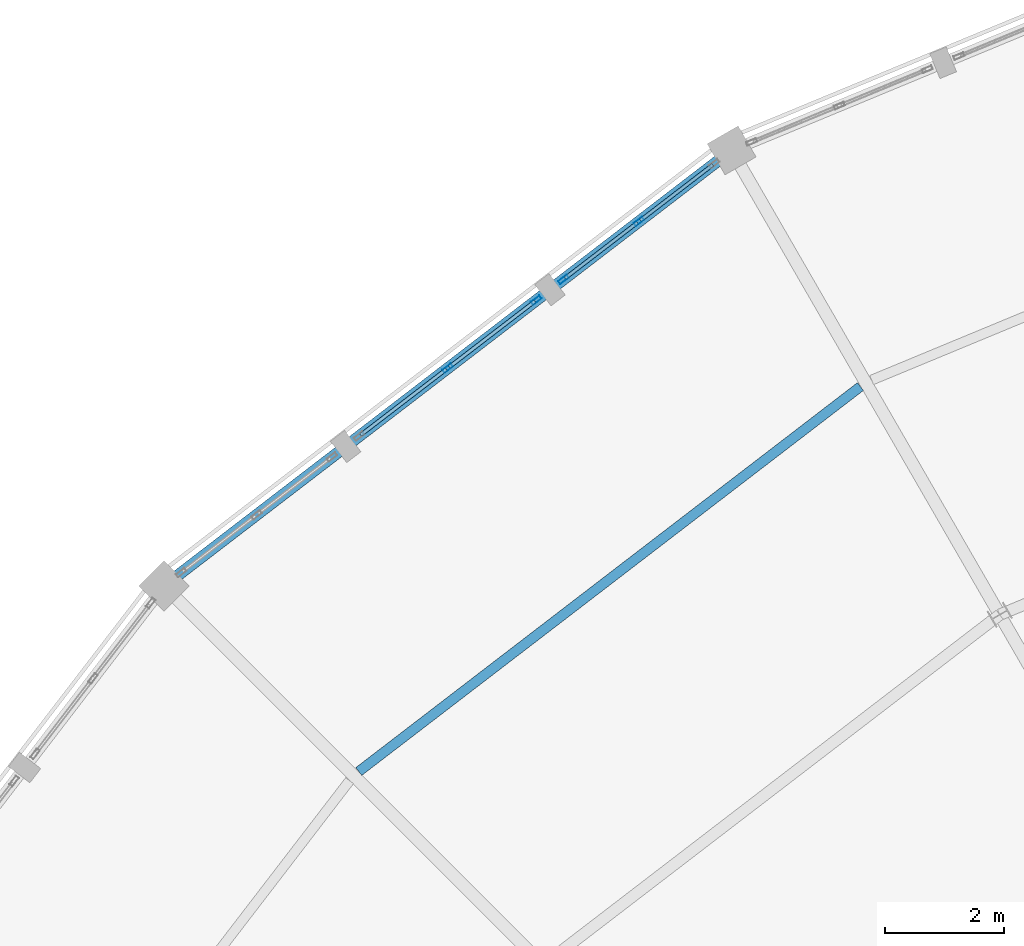
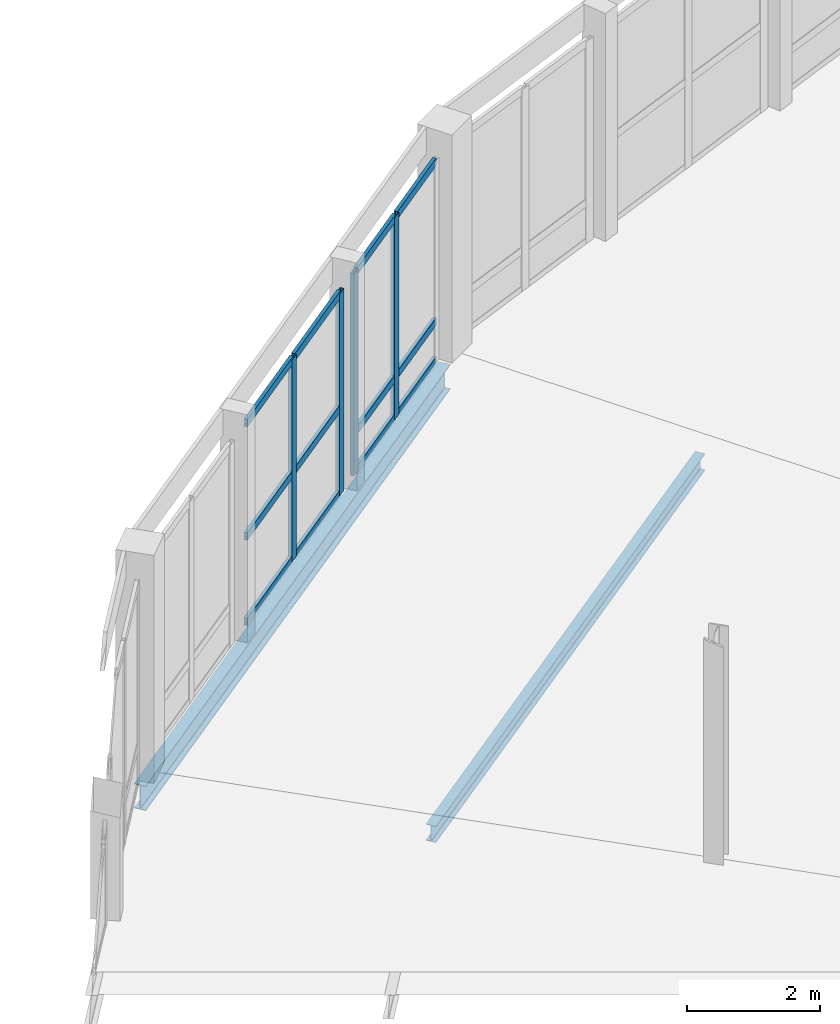
# One storey, part 72 of 170: 16 members, 2 beams, 2 elements without a shape of their own.
"""IFC4 building model written with IfcOpenShell, lengths in metres."""

from ifc_helpers import new_model, si_unit, direction, frame, origin, origin_2d, place, context, subcontext, project, spatial, hollow_rectangle, i_section, extrude, material, material_profile, profile_set, type_object, element, aggregate, save


model = new_model("IFC4")

# Units and contexts
model_context = context("Model", 3, precision=1e-05, world=origin(), true_north=direction((0.0, 1.0)))
body_context = subcontext(model_context, "Body", "Model", "MODEL_VIEW")
ifc_project = project(units=[si_unit("LENGTHUNIT", "METRE"), si_unit("AREAUNIT", "SQUARE_METRE"), si_unit("VOLUMEUNIT", "CUBIC_METRE"), si_unit("PLANEANGLEUNIT", "RADIAN"), si_unit("MASSUNIT", "GRAM", prefix="KILO")], contexts=[model_context])

# Site, building, storey
site_placement = place(None, origin())
site = spatial("IfcSite", under=ifc_project, at=site_placement, CompositionType="ELEMENT")
building_placement = place(site_placement, origin())
building = spatial("IfcBuilding", under=site, at=building_placement, Name="Vondelvale Polytechnic", CompositionType="ELEMENT")
storey_placement = place(building_placement, frame((0.0, 0.0, 5.39990234375)))
storey = spatial("IfcBuildingStorey", under=building, at=storey_placement, Name="L01", CompositionType="ELEMENT", Elevation=5.39990234375)

# Beam
ifc_material_1 = material(Name="Steel 300PLUS (fy = 300 MPa)", Category="steel")
ifc_material_profile_1 = material_profile(ifc_material_1, i_section(OverallWidth=0.18994140625, OverallDepth=0.45703125, WebThickness=0.009033203125, FlangeThickness=0.014404296875, FilletRadius=0.011474609375, at=origin_2d()), Name="460UB74.6")
ifc_profile_set_1 = profile_set([ifc_material_profile_1], Name="Steel 300PLUS (fy = 300 MPa)")
beam_type_1 = type_object("IfcBeamType", Name="BM-UB460", PredefinedType="BEAM", material=ifc_profile_set_1)
beam_1_placement = place(storey_placement, frame((79.0, 111.837158203125, -0.50830078125), z_axis=(-0.793349743808, -0.608766116008, 0.0), x_axis=(0.608766116008, -0.793349743808, 0.0)))
element("IfcBeam", 1, at=beam_1_placement, inside=storey, type_object=beam_type_1, Name="L01 RB B-13", PredefinedType="BEAM", context=body_context, shape_type="SweptSolid", body=[
    extrude(i_section(OverallWidth=0.18994140625, OverallDepth=0.45703125, WebThickness=0.009033203125, FlangeThickness=0.014404296875, FilletRadius=0.011474609375, at=origin_2d()), origin(), (0.0, 0.0, 1.0), 12.00830078125),
])

# Curtain wall, members
ifc_material_2 = material(Name="Glulam GL18 structural Tasmanian oak (fb = 42 MPa)", Category="wood")
curtain_wall_type = type_object("IfcCurtainWallType", Name="CW-RING-OUTER", PredefinedType="NOTDEFINED", material=ifc_material_2)
curtain_wall_1_placement = place(storey_placement, origin())
curtain_wall_1 = element("IfcCurtainWall", 2, at=curtain_wall_1_placement, inside=storey, type_object=curtain_wall_type, Name="L01 architectural curtain wall CW-04-195", PredefinedType="NOTDEFINED")
ifc_material_3 = material(Name="Anodised extruded aluminium 6063-T6", Category="aluminium")
ifc_material_profile_2 = material_profile(ifc_material_3, hollow_rectangle(XDim=0.06494140625, YDim=0.179931640625, WallThickness=0.00390625, at=origin_2d()), Name="CW-MUL-180x65")
ifc_profile_set_2 = profile_set([ifc_material_profile_2], Name="Anodised extruded aluminium 6063-T6")
member_type_1 = type_object("IfcMemberType", Name="CW-MUL-65x180", PredefinedType="MULLION", material=ifc_profile_set_2)
member_1_placement = place(storey_placement, frame((77.44482421875, 110.643798828125, 0.0), z_axis=(0.0, 0.0, 1.0), x_axis=(0.608786860133, -0.793333825656, 0.0)))
member_1 = element("IfcMember", 3, at=member_1_placement, type_object=member_type_1, Name="CW-04-195 mullion 2", PredefinedType="MULLION", context=body_context, shape_type="SweptSolid", body=[
    extrude(hollow_rectangle(XDim=0.06494140625, YDim=0.179931640625, WallThickness=0.00390625, at=origin_2d()), origin(), (0.0, 0.0, 1.0), 3.72021484375),
])
member_2_placement = place(storey_placement, frame((76.179443359375, 109.6728515625, 0.0), z_axis=(0.0, 0.0, 1.0), x_axis=(0.608786860133, -0.793333825656, 0.0)))
member_2 = element("IfcMember", 4, at=member_2_placement, type_object=member_type_1, Name="CW-04-195 mullion 3", PredefinedType="MULLION", context=body_context, shape_type="SweptSolid", body=[
    extrude(hollow_rectangle(XDim=0.06494140625, YDim=0.179931640625, WallThickness=0.00390625, at=origin_2d()), origin(), (0.0, 0.0, 1.0), 3.72021484375),
])

curtain_wall_2_placement = place(storey_placement, origin())
curtain_wall_2 = element("IfcCurtainWall", 5, at=curtain_wall_2_placement, inside=storey, type_object=curtain_wall_type, Name="L01 architectural curtain wall CW-04-196", PredefinedType="NOTDEFINED")
member_3_placement = place(storey_placement, frame((75.723388671875, 109.322998046875, 0.0), z_axis=(0.0, 0.0, 1.0), x_axis=(0.608771189063, -0.793345851043, 0.0)))
member_3 = element("IfcMember", 6, at=member_3_placement, type_object=member_type_1, Name="CW-04-196 mullion 1", PredefinedType="MULLION", context=body_context, shape_type="SweptSolid", body=[
    extrude(hollow_rectangle(XDim=0.06494140625, YDim=0.179931640625, WallThickness=0.00390625, at=origin_2d()), origin(), (0.0, 0.0, 1.0), 3.72021484375),
])
member_4_placement = place(storey_placement, frame((74.236572265625, 108.18212890625, 0.0), z_axis=(0.0, 0.0, 1.0), x_axis=(0.608771189063, -0.793345851043, 0.0)))
member_4 = element("IfcMember", 7, at=member_4_placement, type_object=member_type_1, Name="CW-04-196 mullion 2", PredefinedType="MULLION", context=body_context, shape_type="SweptSolid", body=[
    extrude(hollow_rectangle(XDim=0.06494140625, YDim=0.179931640625, WallThickness=0.00390625, at=origin_2d()), origin(), (0.0, 0.0, 1.0), 3.72021484375),
])

# Member
ifc_material_profile_3 = material_profile(ifc_material_3, hollow_rectangle(XDim=0.06005859375, YDim=0.139892578125, WallThickness=0.00341796875, at=origin_2d()), Name="CW-TRN-140x60")
ifc_profile_set_3 = profile_set([ifc_material_profile_3], Name="Anodised extruded aluminium 6063-T6")
member_type_2 = type_object("IfcMemberType", Name="CW-TRN-60x140", PredefinedType="USERDEFINED", material=ifc_profile_set_3)
member_5_placement = place(storey_placement, frame((78.684326171875, 111.59521484375, 0.030029296875), z_axis=(-0.7932286645, -0.608923875222, 0.0), x_axis=(0.608923875222, -0.7932286645, 0.0)))
member_5 = element("IfcMember", 8, at=member_5_placement, type_object=member_type_2, Name="CW-04-195 transom 1.1", ObjectType="TRANSOM", PredefinedType="USERDEFINED", context=body_context, shape_type="SweptSolid", body=[
    extrude(hollow_rectangle(XDim=0.06005859375, YDim=0.139892578125, WallThickness=0.00341796875, at=origin_2d()), origin(), (0.0, 0.0, 1.0), 1.530029296875),
])

member_6_placement = place(storey_placement, frame((78.684326171875, 111.59521484375, 0.75), z_axis=(-0.7932286645, -0.608923875222, 0.0), x_axis=(0.608923875222, -0.7932286645, 0.0)))
member_6 = element("IfcMember", 9, at=member_6_placement, type_object=member_type_2, Name="CW-04-195 transom 1.2", ObjectType="TRANSOM", PredefinedType="USERDEFINED", context=body_context, shape_type="SweptSolid", body=[
    extrude(hollow_rectangle(XDim=0.06005859375, YDim=0.139892578125, WallThickness=0.00341796875, at=origin_2d()), origin(), (0.0, 0.0, 1.0), 1.530029296875),
])

member_7_placement = place(storey_placement, frame((78.684326171875, 111.59521484375, 3.690185546875), z_axis=(-0.7932286645, -0.608923875222, 0.0), x_axis=(0.608923875222, -0.7932286645, 0.0)))
member_7 = element("IfcMember", 10, at=member_7_placement, type_object=member_type_2, Name="CW-04-195 transom 1.3", ObjectType="TRANSOM", PredefinedType="USERDEFINED", context=body_context, shape_type="SweptSolid", body=[
    extrude(hollow_rectangle(XDim=0.06005859375, YDim=0.139892578125, WallThickness=0.00341796875, at=origin_2d()), origin(), (0.0, 0.0, 1.0), 1.530029296875),
])

member_8_placement = place(storey_placement, frame((77.4189453125, 110.6240234375, 0.030029296875), z_axis=(-0.793305741078, -0.60882345649, 0.0), x_axis=(0.60882345649, -0.793305741078, 0.0)))
member_8 = element("IfcMember", 11, at=member_8_placement, type_object=member_type_2, Name="CW-04-195 transom 2.1", ObjectType="TRANSOM", PredefinedType="USERDEFINED", context=body_context, shape_type="SweptSolid", body=[
    extrude(hollow_rectangle(XDim=0.06005859375, YDim=0.139892578125, WallThickness=0.00341796875, at=origin_2d()), origin(), (0.0, 0.0, 1.0), 1.52978515625),
])

member_9_placement = place(storey_placement, frame((77.4189453125, 110.6240234375, 0.75), z_axis=(-0.793305741078, -0.60882345649, 0.0), x_axis=(0.60882345649, -0.793305741078, 0.0)))
member_9 = element("IfcMember", 12, at=member_9_placement, type_object=member_type_2, Name="CW-04-195 transom 2.2", ObjectType="TRANSOM", PredefinedType="USERDEFINED", context=body_context, shape_type="SweptSolid", body=[
    extrude(hollow_rectangle(XDim=0.06005859375, YDim=0.139892578125, WallThickness=0.00341796875, at=origin_2d()), origin(), (0.0, 0.0, 1.0), 1.52978515625),
])

member_10_placement = place(storey_placement, frame((77.4189453125, 110.6240234375, 3.690185546875), z_axis=(-0.793305741078, -0.60882345649, 0.0), x_axis=(0.60882345649, -0.793305741078, 0.0)))
member_10 = element("IfcMember", 13, at=member_10_placement, type_object=member_type_2, Name="CW-04-195 transom 2.3", ObjectType="TRANSOM", PredefinedType="USERDEFINED", context=body_context, shape_type="SweptSolid", body=[
    extrude(hollow_rectangle(XDim=0.06005859375, YDim=0.139892578125, WallThickness=0.00341796875, at=origin_2d()), origin(), (0.0, 0.0, 1.0), 1.52978515625),
])

aggregate(curtain_wall_1, [member_1, member_2, member_5, member_6, member_7, member_8, member_9, member_10])

member_11_placement = place(storey_placement, frame((75.697509765625, 109.30322265625, 0.030029296875), z_axis=(-0.793310842007, -0.608816809849, 0.0), x_axis=(0.608816809849, -0.793310842007, 0.0)))
member_11 = element("IfcMember", 14, at=member_11_placement, type_object=member_type_2, Name="CW-04-196 transom 1.1", ObjectType="TRANSOM", PredefinedType="USERDEFINED", context=body_context, shape_type="SweptSolid", body=[
    extrude(hollow_rectangle(XDim=0.06005859375, YDim=0.139892578125, WallThickness=0.00341796875, at=origin_2d()), origin(), (0.0, 0.0, 1.0), 1.808837890625),
])

member_12_placement = place(storey_placement, frame((75.697509765625, 109.30322265625, 1.60009765625), z_axis=(-0.793310842007, -0.608816809849, 0.0), x_axis=(0.608816809849, -0.793310842007, 0.0)))
member_12 = element("IfcMember", 15, at=member_12_placement, type_object=member_type_2, Name="CW-04-196 transom 1.2", ObjectType="TRANSOM", PredefinedType="USERDEFINED", context=body_context, shape_type="SweptSolid", body=[
    extrude(hollow_rectangle(XDim=0.06005859375, YDim=0.139892578125, WallThickness=0.00341796875, at=origin_2d()), origin(), (0.0, 0.0, 1.0), 1.808837890625),
])

member_13_placement = place(storey_placement, frame((75.697509765625, 109.30322265625, 3.690185546875), z_axis=(-0.793310842007, -0.608816809849, 0.0), x_axis=(0.608816809849, -0.793310842007, 0.0)))
member_13 = element("IfcMember", 16, at=member_13_placement, type_object=member_type_2, Name="CW-04-196 transom 1.3", ObjectType="TRANSOM", PredefinedType="USERDEFINED", context=body_context, shape_type="SweptSolid", body=[
    extrude(hollow_rectangle(XDim=0.06005859375, YDim=0.139892578125, WallThickness=0.00341796875, at=origin_2d()), origin(), (0.0, 0.0, 1.0), 1.808837890625),
])

member_14_placement = place(storey_placement, frame((74.210693359375, 108.162353515625, 0.030029296875), z_axis=(-0.793310842007, -0.608816809849, 0.0), x_axis=(0.608816809849, -0.793310842007, 0.0)))
member_14 = element("IfcMember", 17, at=member_14_placement, type_object=member_type_2, Name="CW-04-196 transom 2.1", ObjectType="TRANSOM", PredefinedType="USERDEFINED", context=body_context, shape_type="SweptSolid", body=[
    extrude(hollow_rectangle(XDim=0.06005859375, YDim=0.139892578125, WallThickness=0.00341796875, at=origin_2d()), origin(), (0.0, 0.0, 1.0), 1.808837890625),
])

member_15_placement = place(storey_placement, frame((74.210693359375, 108.162353515625, 1.60009765625), z_axis=(-0.793310842007, -0.608816809849, 0.0), x_axis=(0.608816809849, -0.793310842007, 0.0)))
member_15 = element("IfcMember", 18, at=member_15_placement, type_object=member_type_2, Name="CW-04-196 transom 2.2", ObjectType="TRANSOM", PredefinedType="USERDEFINED", context=body_context, shape_type="SweptSolid", body=[
    extrude(hollow_rectangle(XDim=0.06005859375, YDim=0.139892578125, WallThickness=0.00341796875, at=origin_2d()), origin(), (0.0, 0.0, 1.0), 1.808837890625),
])

member_16_placement = place(storey_placement, frame((74.210693359375, 108.162353515625, 3.690185546875), z_axis=(-0.793310842007, -0.608816809849, 0.0), x_axis=(0.608816809849, -0.793310842007, 0.0)))
member_16 = element("IfcMember", 19, at=member_16_placement, type_object=member_type_2, Name="CW-04-196 transom 2.3", ObjectType="TRANSOM", PredefinedType="USERDEFINED", context=body_context, shape_type="SweptSolid", body=[
    extrude(hollow_rectangle(XDim=0.06005859375, YDim=0.139892578125, WallThickness=0.00341796875, at=origin_2d()), origin(), (0.0, 0.0, 1.0), 1.808837890625),
])

aggregate(curtain_wall_2, [member_3, member_4, member_11, member_12, member_13, member_14, member_15, member_16])

# Beam
ifc_material_profile_4 = material_profile(ifc_material_1, i_section(OverallWidth=0.1650390625, OverallDepth=0.303955078125, WebThickness=0.006103515625, FlangeThickness=0.01025390625, FilletRadius=0.011474609375, at=origin_2d()), Name="310UB40.4")
ifc_profile_set_4 = profile_set([ifc_material_profile_4], Name="Steel 300PLUS (fy = 300 MPa)")
beam_type_2 = type_object("IfcBeamType", Name="JST-UB310", PredefinedType="JOIST", material=ifc_profile_set_4)
beam_2_placement = place(storey_placement, frame((81.16259765625, 107.873046875, -0.431884765625), z_axis=(-0.793346013368, -0.608770977523, 0.0), x_axis=(0.608770977523, -0.793346013368, 0.0)))
element("IfcBeam", 20, at=beam_2_placement, inside=storey, type_object=beam_type_2, Name="L01 RJ J-05", PredefinedType="JOIST", context=body_context, shape_type="SweptSolid", body=[
    extrude(i_section(OverallWidth=0.1650390625, OverallDepth=0.303955078125, WebThickness=0.006103515625, FlangeThickness=0.01025390625, FilletRadius=0.011474609375, at=origin_2d()), origin(), (0.0, 0.0, 1.0), 10.613525390625),
])

save(model, "model.ifc")
